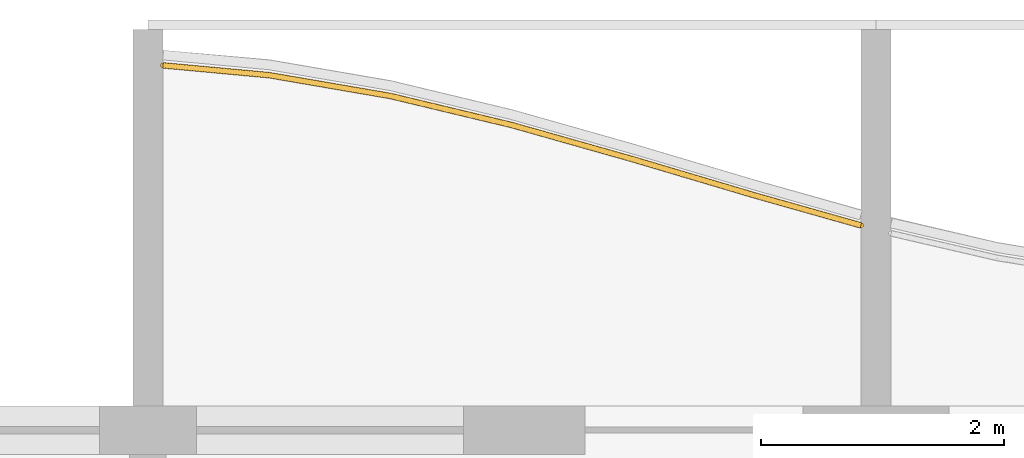
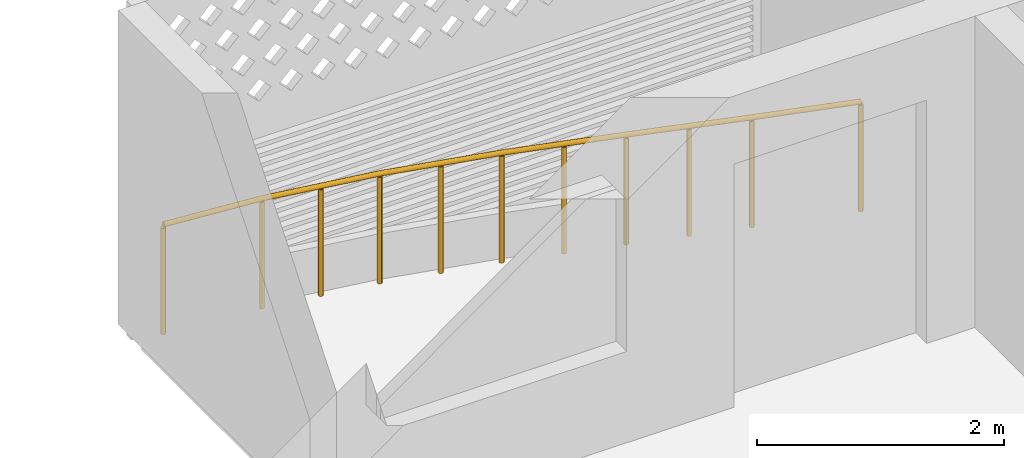
# One storey, part 27 of 32: 1 railing.
"""IFC4 building model written with IfcOpenShell, lengths in metres."""

from ifc_helpers import new_model, si_unit, direction, frame, origin, origin_2d, place, context, subcontext, project, spatial, circle, extrude, material, type_object, element, save


model = new_model("IFC4")

# Units and contexts
model_context = context("Model", 3, precision=1e-05, world=origin(), true_north=direction((0.0, 1.0)))
body_context = subcontext(model_context, "Body", "Model", "MODEL_VIEW")
ifc_project = project(units=[si_unit("LENGTHUNIT", "METRE"), si_unit("AREAUNIT", "SQUARE_METRE"), si_unit("VOLUMEUNIT", "CUBIC_METRE"), si_unit("PLANEANGLEUNIT", "RADIAN"), si_unit("MASSUNIT", "GRAM", prefix="KILO")], contexts=[model_context])

# Site, building, storey
site_placement = place(None, origin())
site = spatial("IfcSite", under=ifc_project, at=site_placement, CompositionType="ELEMENT")
building_placement = place(site_placement, origin())
building = spatial("IfcBuilding", under=site, at=building_placement, Name="Poui Terraces", CompositionType="ELEMENT")
storey_placement = place(building_placement, frame((0.0, 0.0, 125.699951171875)))
storey = spatial("IfcBuildingStorey", under=building, at=storey_placement, Name="L34", CompositionType="ELEMENT", Elevation=125.699951171875)

# Railing
ifc_material = material(Name="Painted steel fretwork", Category="steel")
railing_type = type_object("IfcRailingType", Name="BALCONY GUARD 1100", PredefinedType="GUARDRAIL", material=ifc_material)
railing_placement = place(storey_placement, frame((60.125, 45.406005859375, 0.0)))
element("IfcRailing", 1, at=railing_placement, inside=storey, type_object=railing_type, Name="BALCONY GUARD", PredefinedType="GUARDRAIL", context=body_context, shape_type="SweptSolid", body=[
    extrude(circle(Radius=0.02392578125, at=origin_2d()), frame((0.0, 0.0, 1.076171875), z_axis=(0.995762374443, -0.091963545184, 0.0), x_axis=(0.091963545184, 0.995762374443, 0.0)), (0.0, 0.0, 1.0), 0.878662109375),
    extrude(circle(Radius=0.02392578125, at=origin_2d()), frame((0.875, -0.080810546875, 1.076171875), z_axis=(0.98554889076, -0.169391215599, 0.0), x_axis=(0.169391215599, 0.98554889076, 0.0)), (0.0, 0.0, 1.0), 1.0146484375),
    extrude(circle(Radius=0.02392578125, at=origin_2d()), frame((1.875, -0.252685546875, 1.076171875), z_axis=(0.972497106951, -0.232914956523, 0.0), x_axis=(0.232914956523, 0.972497106951, 0.0)), (0.0, 0.0, 1.0), 1.0283203125),
    extrude(circle(Radius=0.02392578125, at=origin_2d()), frame((2.875, -0.4921875, 1.076171875), z_axis=(0.962282666556, -0.272051593719, 0.0), x_axis=(0.272051593719, 0.962282666556, 0.0)), (0.0, 0.0, 1.0), 1.039306640625),
    extrude(circle(Radius=0.02392578125, at=origin_2d()), frame((3.875, -0.77490234375, 1.076171875), z_axis=(0.958710700624, -0.284383179018, 0.0), x_axis=(0.284383179018, 0.958710700624, 0.0)), (0.0, 0.0, 1.0), 1.04296875),
    extrude(circle(Radius=0.02392578125, at=origin_2d()), frame((4.875, -1.071533203125, 1.076171875), z_axis=(0.962370485881, -0.271740773357, 0.0), x_axis=(0.271740773357, 0.962370485881, 0.0)), (0.0, 0.0, 1.0), 0.9091796875),
    extrude(circle(Radius=0.02099609375, at=origin_2d()), origin(), (0.0, 0.0, 1.0), 1.052001953125),
    extrude(circle(Radius=0.02099609375, at=origin_2d()), frame((0.875, -0.080810546875, 0.0)), (0.0, 0.0, 1.0), 1.052001953125),
    extrude(circle(Radius=0.02099609375, at=origin_2d()), frame((1.375, -0.166748046875, 0.0)), (0.0, 0.0, 1.0), 1.052001953125),
    extrude(circle(Radius=0.02099609375, at=origin_2d()), frame((1.875, -0.252685546875, 0.0)), (0.0, 0.0, 1.0), 1.052001953125),
    extrude(circle(Radius=0.02099609375, at=origin_2d()), frame((2.375, -0.37255859375, 0.0)), (0.0, 0.0, 1.0), 1.052001953125),
    extrude(circle(Radius=0.02099609375, at=origin_2d()), frame((2.875, -0.4921875, 0.0)), (0.0, 0.0, 1.0), 1.052001953125),
    extrude(circle(Radius=0.02099609375, at=origin_2d()), frame((3.375, -0.633544921875, 0.0)), (0.0, 0.0, 1.0), 1.052001953125),
    extrude(circle(Radius=0.02099609375, at=origin_2d()), frame((3.875, -0.77490234375, 0.0)), (0.0, 0.0, 1.0), 1.052001953125),
    extrude(circle(Radius=0.02099609375, at=origin_2d()), frame((4.375, -0.92333984375, 0.0)), (0.0, 0.0, 1.0), 1.052001953125),
    extrude(circle(Radius=0.02099609375, at=origin_2d()), frame((4.875, -1.071533203125, 0.0)), (0.0, 0.0, 1.0), 1.052001953125),
    extrude(circle(Radius=0.02099609375, at=origin_2d()), frame((5.75, -1.318603515625, 0.0)), (0.0, 0.0, 1.0), 1.052001953125),
])

save(model, "model.ifc")
